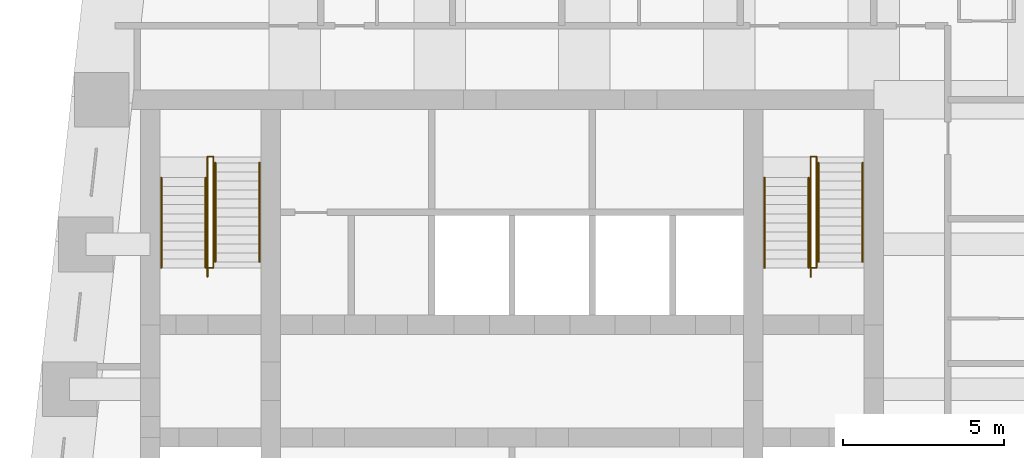
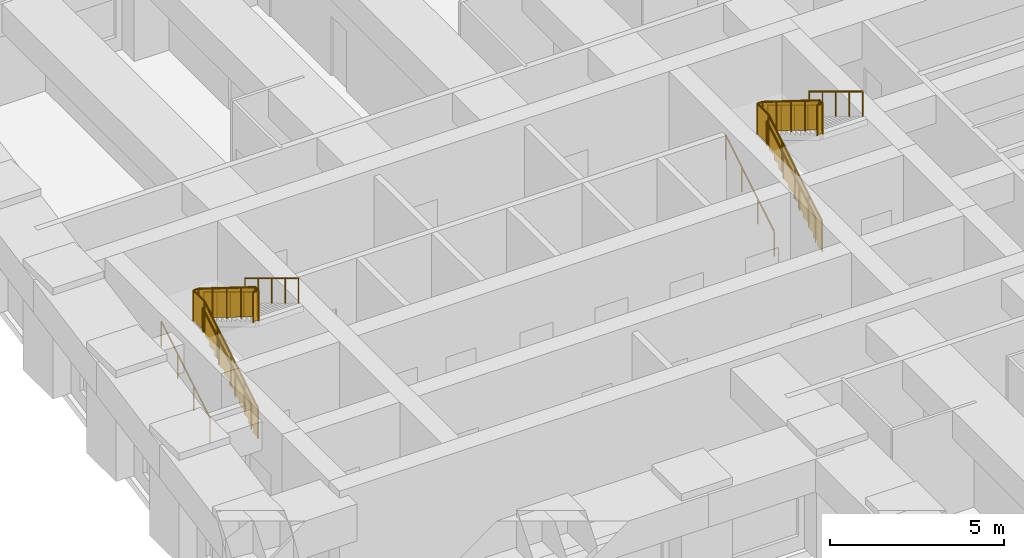
# One storey, part 7 of 7: 12 railings.
"""IFC4 building model written with IfcOpenShell, lengths in metres."""

from ifc_helpers import new_model, si_unit, direction, frame, origin, origin_2d, place, context, subcontext, project, spatial, polyline, circle, outline, extrude, material, type_object, element, save


model = new_model("IFC4")

# Units and contexts
model_context = context("Model", 3, precision=1e-05, world=origin(), true_north=direction((0.0, 1.0)))
body_context = subcontext(model_context, "Body", "Model", "MODEL_VIEW")
ifc_project = project(units=[si_unit("LENGTHUNIT", "METRE"), si_unit("AREAUNIT", "SQUARE_METRE"), si_unit("VOLUMEUNIT", "CUBIC_METRE"), si_unit("PLANEANGLEUNIT", "RADIAN"), si_unit("MASSUNIT", "GRAM", prefix="KILO")], contexts=[model_context])

# Site, building, storey
site_placement = place(None, origin())
site = spatial("IfcSite", under=ifc_project, at=site_placement, CompositionType="ELEMENT")
building_placement = place(site_placement, origin())
building = spatial("IfcBuilding", under=site, at=building_placement, Name="Kilele Tower Hotel", CompositionType="ELEMENT")
storey_placement = place(building_placement, frame((0.0, 0.0, 233.0)))
storey = spatial("IfcBuildingStorey", under=building, at=storey_placement, Name="L60", CompositionType="ELEMENT", Elevation=233.0)

# Railings
ifc_material_1 = material(Name="Steel handrail", Category="steel")
railing_type_1 = type_object("IfcRailingType", Name="Handrail 900", PredefinedType="HANDRAIL", material=ifc_material_1)
for number, where, name in (
    (1, (13.85009765625, 21.77490234375, 0.169677734375), "Handrail ST1 flight 1"),
    (2, (15.22509765625, 21.77490234375, 0.169677734375), "Handrail ST1 flight 1"),
):
    element("IfcRailing", number, at=place(storey_placement, frame(where)), inside=storey, type_object=railing_type_1, Name=name, PredefinedType="HANDRAIL", context=body_context, shape_type="SweptSolid", body=[
        extrude(circle(Radius=0.02490234375, at=origin_2d()), frame((0.0, 0.0, 0.875), z_axis=(0.0, 0.855393119324, 0.517979354234), x_axis=(-1.0, 0.0, 0.0)), (0.0, 0.0, 1.0), 3.2734375),
        extrude(circle(Radius=0.02001953125, at=origin_2d()), origin(), (0.0, 0.0, 1.0), 0.849853515625),
        extrude(circle(Radius=0.02001953125, at=origin_2d()), frame((0.0, 0.933349609375, 0.565185546875)), (0.0, 0.0, 1.0), 0.849853515625),
        extrude(circle(Radius=0.02001953125, at=origin_2d()), frame((0.0, 1.86669921875, 1.13037109375)), (0.0, 0.0, 1.0), 0.849853515625),
        extrude(circle(Radius=0.02001953125, at=origin_2d()), frame((0.0, 2.800048828125, 1.695556640625)), (0.0, 0.0, 1.0), 0.849853515625),
    ])
for number, where, name in (
    (3, (15.52490234375, 25.0400390625, 2.03466796875), "Handrail ST1 flight 2"),
    (4, (16.89990234375, 25.0400390625, 2.03466796875), "Handrail ST1 flight 2"),
):
    element("IfcRailing", number, at=place(storey_placement, frame(where)), inside=storey, type_object=railing_type_1, Name=name, PredefinedType="HANDRAIL", context=body_context, shape_type="SweptSolid", body=[
        extrude(circle(Radius=0.02490234375, at=origin_2d()), frame((0.0, 0.0, 0.875), z_axis=(0.0, -0.855379917629, 0.518001154937), x_axis=(1.0, 0.0, 0.0)), (0.0, 0.0, 1.0), 3.600830078125),
        extrude(circle(Radius=0.02001953125, at=origin_2d()), origin(), (0.0, 0.0, 1.0), 0.849853515625),
        extrude(circle(Radius=0.02001953125, at=origin_2d()), frame((0.0, -0.77001953125, 0.46630859375)), (0.0, 0.0, 1.0), 0.849853515625),
        extrude(circle(Radius=0.02001953125, at=origin_2d()), frame((0.0, -1.5400390625, 0.9326171875)), (0.0, 0.0, 1.0), 0.849853515625),
        extrude(circle(Radius=0.02001953125, at=origin_2d()), frame((0.0, -2.31005859375, 1.39892578125)), (0.0, 0.0, 1.0), 0.849853515625),
        extrude(circle(Radius=0.02001953125, at=origin_2d()), frame((0.0, -3.080078125, 1.865234375)), (0.0, 0.0, 1.0), 0.849853515625),
    ])
for number, where, name in (
    (5, (32.60009765625, 21.77490234375, 0.169677734375), "Handrail ST2 flight 1"),
    (6, (33.97509765625, 21.77490234375, 0.169677734375), "Handrail ST2 flight 1"),
):
    element("IfcRailing", number, at=place(storey_placement, frame(where)), inside=storey, type_object=railing_type_1, Name=name, PredefinedType="HANDRAIL", context=body_context, shape_type="SweptSolid", body=[
        extrude(circle(Radius=0.02490234375, at=origin_2d()), frame((0.0, 0.0, 0.875), z_axis=(0.0, 0.855393119324, 0.517979354234), x_axis=(-1.0, 0.0, 0.0)), (0.0, 0.0, 1.0), 3.2734375),
        extrude(circle(Radius=0.02001953125, at=origin_2d()), origin(), (0.0, 0.0, 1.0), 0.849853515625),
        extrude(circle(Radius=0.02001953125, at=origin_2d()), frame((0.0, 0.933349609375, 0.565185546875)), (0.0, 0.0, 1.0), 0.849853515625),
        extrude(circle(Radius=0.02001953125, at=origin_2d()), frame((0.0, 1.86669921875, 1.13037109375)), (0.0, 0.0, 1.0), 0.849853515625),
        extrude(circle(Radius=0.02001953125, at=origin_2d()), frame((0.0, 2.800048828125, 1.695556640625)), (0.0, 0.0, 1.0), 0.849853515625),
    ])
for number, where, name in (
    (7, (34.27490234375, 25.0400390625, 2.03466796875), "Handrail ST2 flight 2"),
    (8, (35.64990234375, 25.0400390625, 2.03466796875), "Handrail ST2 flight 2"),
):
    element("IfcRailing", number, at=place(storey_placement, frame(where)), inside=storey, type_object=railing_type_1, Name=name, PredefinedType="HANDRAIL", context=body_context, shape_type="SweptSolid", body=[
        extrude(circle(Radius=0.02490234375, at=origin_2d()), frame((0.0, 0.0, 0.875), z_axis=(0.0, -0.855379917629, 0.518001154937), x_axis=(1.0, 0.0, 0.0)), (0.0, 0.0, 1.0), 3.600830078125),
        extrude(circle(Radius=0.02001953125, at=origin_2d()), origin(), (0.0, 0.0, 1.0), 0.849853515625),
        extrude(circle(Radius=0.02001953125, at=origin_2d()), frame((0.0, -0.77001953125, 0.46630859375)), (0.0, 0.0, 1.0), 0.849853515625),
        extrude(circle(Radius=0.02001953125, at=origin_2d()), frame((0.0, -1.5400390625, 0.9326171875)), (0.0, 0.0, 1.0), 0.849853515625),
        extrude(circle(Radius=0.02001953125, at=origin_2d()), frame((0.0, -2.31005859375, 1.39892578125)), (0.0, 0.0, 1.0), 0.849853515625),
        extrude(circle(Radius=0.02001953125, at=origin_2d()), frame((0.0, -3.080078125, 1.865234375)), (0.0, 0.0, 1.0), 0.849853515625),
    ])
ifc_material_2 = material(Name="Steel guard", Category="steel")
railing_type_2 = type_object("IfcRailingType", Name="Stair guard 1100", PredefinedType="GUARDRAIL", material=ifc_material_2)
railing_1_placement = place(storey_placement, frame((15.284912109375, 21.4951171875, 0.0)))
element("IfcRailing", 9, at=railing_1_placement, inside=storey, type_object=railing_type_2, Name="Stair well guard ST1 flight 1", PredefinedType="GUARDRAIL", context=body_context, shape_type="SweptSolid", body=[
    extrude(circle(Radius=0.02490234375, at=origin_2d()), frame((0.0, 0.0, 1.0751953125), z_axis=(0.0, 0.855361723277, 0.518031198243), x_axis=(-1.0, 0.0, 0.0)), (0.0, 0.0, 1.0), 3.6005859375),
    extrude(circle(Radius=0.02490234375, at=origin_2d()), frame((0.0, 3.079833984375, 2.9404296875), z_axis=(0.0, 1.0, 0.0), x_axis=(-1.0, 0.0, 0.0)), (0.0, 0.0, 1.0), 0.650146484375),
    extrude(circle(Radius=0.02490234375, at=origin_2d()), frame((0.0, 3.72998046875, 2.9404296875), z_axis=(1.0, 0.0, 0.0), x_axis=(0.0, 1.0, 0.0)), (0.0, 0.0, 1.0), 0.18017578125),
    extrude(circle(Radius=0.02490234375, at=origin_2d()), origin(), (0.0, 0.0, 1.0), 1.050048828125),
    extrude(circle(Radius=0.02490234375, at=origin_2d()), frame((0.0, 0.77001953125, 0.46630859375)), (0.0, 0.0, 1.0), 1.050048828125),
    extrude(circle(Radius=0.02490234375, at=origin_2d()), frame((0.0, 1.5400390625, 0.9326171875)), (0.0, 0.0, 1.0), 1.050048828125),
    extrude(circle(Radius=0.02490234375, at=origin_2d()), frame((0.0, 2.309814453125, 1.39892578125)), (0.0, 0.0, 1.0), 1.050048828125),
    extrude(circle(Radius=0.02490234375, at=origin_2d()), frame((0.0, 3.079833984375, 1.865234375)), (0.0, 0.0, 1.0), 1.050048828125),
    extrude(circle(Radius=0.02490234375, at=origin_2d()), frame((0.0, 3.72998046875, 1.865234375)), (0.0, 0.0, 1.0), 1.050048828125),
    extrude(circle(Radius=0.02490234375, at=origin_2d()), frame((0.18017578125, 3.72998046875, 1.865234375)), (0.0, 0.0, 1.0), 1.050048828125),
    extrude(outline(polyline([(0.012451171875, 0.030029296875), (0.25, 0.030029296875), (0.25, 0.19970703125), (0.530029296875, 0.19970703125), (0.530029296875, 0.369140625), (0.809814453125, 0.369140625), (0.809814453125, 0.538818359375), (1.08984375, 0.538818359375), (1.08984375, 0.708251953125), (1.369873046875, 0.708251953125), (1.369873046875, 0.8779296875), (1.64990234375, 0.8779296875), (1.64990234375, 1.04736328125), (1.929931640625, 1.04736328125), (1.929931640625, 1.217041015625), (2.2099609375, 1.217041015625), (2.2099609375, 1.386474609375), (2.48974609375, 1.386474609375), (2.48974609375, 1.55615234375), (2.769775390625, 1.55615234375), (2.769775390625, 1.7255859375), (3.0498046875, 1.7255859375), (3.0498046875, 1.895263671875), (3.0673828125, 1.895263671875), (3.0673828125, 2.903564453125), (0.012451171875, 1.053466796875), (0.012451171875, 0.030029296875)])), frame((-0.005859375, 0.0, 0.0), z_axis=(1.0, 0.0, 0.0), x_axis=(0.0, 1.0, 0.0)), (0.0, 0.0, 1.0), 0.011962890625),
    extrude(outline(polyline([(0.012451171875, 0.030029296875), (0.6376953125, 0.030029296875), (0.6376953125, 1.050048828125), (0.012451171875, 1.050048828125), (0.012451171875, 0.030029296875)])), frame((-0.005859375, 3.079833984375, 1.865234375), z_axis=(1.0, 0.0, 0.0), x_axis=(0.0, 1.0, 0.0)), (0.0, 0.0, 1.0), 0.011962890625),
    extrude(outline(polyline([(0.012451171875, 0.030029296875), (0.18017578125, 0.030029296875), (0.18017578125, 1.050048828125), (0.012451171875, 1.050048828125), (0.012451171875, 0.030029296875)])), frame((0.0, 3.73583984375, 1.865234375), z_axis=(0.0, -1.0, 0.0), x_axis=(1.0, 0.0, 0.0)), (0.0, 0.0, 1.0), 0.011962890625),
])
railing_2_placement = place(storey_placement, frame((15.465087890625, 25.22509765625, 1.865234375)))
element("IfcRailing", 10, at=railing_2_placement, inside=storey, type_object=railing_type_2, Name="Stair well guard ST1 flight 2", PredefinedType="GUARDRAIL", context=body_context, shape_type="SweptSolid", body=[
    extrude(circle(Radius=0.02490234375, at=origin_2d()), frame((0.0, 0.0, 1.0751953125), z_axis=(0.0, -0.848703446432, 0.528869038624), x_axis=(1.0, 0.0, 0.0)), (0.0, 0.0, 1.0), 3.84716796875),
    extrude(circle(Radius=0.02490234375, at=origin_2d()), frame((0.0, -3.26513671875, 3.10986328125), z_axis=(0.0, -1.0, 0.0), x_axis=(1.0, 0.0, 0.0)), (0.0, 0.0, 1.0), 0.18505859375),
    extrude(circle(Radius=0.02490234375, at=origin_2d()), frame((0.0, -3.4501953125, 3.10986328125), z_axis=(-1.0, 0.0, 0.0), x_axis=(0.0, -1.0, 0.0)), (0.0, 0.0, 1.0), 0.18017578125),
    extrude(circle(Radius=0.02490234375, at=origin_2d()), origin(), (0.0, 0.0, 1.0), 1.050048828125),
    extrude(circle(Radius=0.02490234375, at=origin_2d()), frame((0.0, -0.81640625, 0.5087890625)), (0.0, 0.0, 1.0), 1.050048828125),
    extrude(circle(Radius=0.02490234375, at=origin_2d()), frame((0.0, -1.632568359375, 1.017333984375)), (0.0, 0.0, 1.0), 1.050048828125),
    extrude(circle(Radius=0.02490234375, at=origin_2d()), frame((0.0, -2.44873046875, 1.52587890625)), (0.0, 0.0, 1.0), 1.050048828125),
    extrude(circle(Radius=0.02490234375, at=origin_2d()), frame((0.0, -3.26513671875, 2.03466796875)), (0.0, 0.0, 1.0), 1.050048828125),
    extrude(circle(Radius=0.02490234375, at=origin_2d()), frame((0.0, -3.4501953125, 2.03466796875)), (0.0, 0.0, 1.0), 1.050048828125),
    extrude(circle(Radius=0.02490234375, at=origin_2d()), frame((-0.18017578125, -3.4501953125, 2.03466796875)), (0.0, 0.0, 1.0), 1.050048828125),
    extrude(outline(polyline([(0.0, 0.030029296875), (3.252685546875, 2.056884765625), (3.252685546875, 3.072509765625), (0.0, 1.045654296875), (0.0, 0.030029296875)])), frame((0.005859375, 0.0, 0.0), z_axis=(-1.0, 0.0, 0.0), x_axis=(0.0, -1.0, 0.0)), (0.0, 0.0, 1.0), 0.011962890625),
    extrude(outline(polyline([(0.012451171875, 0.030029296875), (0.172607421875, 0.030029296875), (0.172607421875, 1.050048828125), (0.012451171875, 1.050048828125), (0.012451171875, 0.030029296875)])), frame((0.005859375, -3.26513671875, 2.03466796875), z_axis=(-1.0, 0.0, 0.0), x_axis=(0.0, -1.0, 0.0)), (0.0, 0.0, 1.0), 0.011962890625),
    extrude(outline(polyline([(0.012451171875, 0.030029296875), (0.18017578125, 0.030029296875), (0.18017578125, 1.050048828125), (0.012451171875, 1.050048828125), (0.012451171875, 0.030029296875)])), frame((0.0, -3.4560546875, 2.03466796875), z_axis=(0.0, 1.0, 0.0), x_axis=(-1.0, 0.0, 0.0)), (0.0, 0.0, 1.0), 0.011962890625),
])
railing_3_placement = place(storey_placement, frame((34.034912109375, 21.4951171875, 0.0)))
element("IfcRailing", 11, at=railing_3_placement, inside=storey, type_object=railing_type_2, Name="Stair well guard ST2 flight 1", PredefinedType="GUARDRAIL", context=body_context, shape_type="SweptSolid", body=[
    extrude(circle(Radius=0.02490234375, at=origin_2d()), frame((0.0, 0.0, 1.0751953125), z_axis=(0.0, 0.855361723277, 0.518031198243), x_axis=(-1.0, 0.0, 0.0)), (0.0, 0.0, 1.0), 3.6005859375),
    extrude(circle(Radius=0.02490234375, at=origin_2d()), frame((0.0, 3.079833984375, 2.9404296875), z_axis=(0.0, 1.0, 0.0), x_axis=(-1.0, 0.0, 0.0)), (0.0, 0.0, 1.0), 0.650146484375),
    extrude(circle(Radius=0.02490234375, at=origin_2d()), frame((0.0, 3.72998046875, 2.9404296875), z_axis=(1.0, 0.0, 0.0), x_axis=(0.0, 1.0, 0.0)), (0.0, 0.0, 1.0), 0.18017578125),
    extrude(circle(Radius=0.02490234375, at=origin_2d()), origin(), (0.0, 0.0, 1.0), 1.050048828125),
    extrude(circle(Radius=0.02490234375, at=origin_2d()), frame((0.0, 0.77001953125, 0.46630859375)), (0.0, 0.0, 1.0), 1.050048828125),
    extrude(circle(Radius=0.02490234375, at=origin_2d()), frame((0.0, 1.5400390625, 0.9326171875)), (0.0, 0.0, 1.0), 1.050048828125),
    extrude(circle(Radius=0.02490234375, at=origin_2d()), frame((0.0, 2.309814453125, 1.39892578125)), (0.0, 0.0, 1.0), 1.050048828125),
    extrude(circle(Radius=0.02490234375, at=origin_2d()), frame((0.0, 3.079833984375, 1.865234375)), (0.0, 0.0, 1.0), 1.050048828125),
    extrude(circle(Radius=0.02490234375, at=origin_2d()), frame((0.0, 3.72998046875, 1.865234375)), (0.0, 0.0, 1.0), 1.050048828125),
    extrude(circle(Radius=0.02490234375, at=origin_2d()), frame((0.18017578125, 3.72998046875, 1.865234375)), (0.0, 0.0, 1.0), 1.050048828125),
    extrude(outline(polyline([(0.012451171875, 0.030029296875), (0.25, 0.030029296875), (0.25, 0.19970703125), (0.530029296875, 0.19970703125), (0.530029296875, 0.369140625), (0.809814453125, 0.369140625), (0.809814453125, 0.538818359375), (1.08984375, 0.538818359375), (1.08984375, 0.708251953125), (1.369873046875, 0.708251953125), (1.369873046875, 0.8779296875), (1.64990234375, 0.8779296875), (1.64990234375, 1.04736328125), (1.929931640625, 1.04736328125), (1.929931640625, 1.217041015625), (2.2099609375, 1.217041015625), (2.2099609375, 1.386474609375), (2.48974609375, 1.386474609375), (2.48974609375, 1.55615234375), (2.769775390625, 1.55615234375), (2.769775390625, 1.7255859375), (3.0498046875, 1.7255859375), (3.0498046875, 1.895263671875), (3.0673828125, 1.895263671875), (3.0673828125, 2.903564453125), (0.012451171875, 1.053466796875), (0.012451171875, 0.030029296875)])), frame((-0.005859375, 0.0, 0.0), z_axis=(1.0, 0.0, 0.0), x_axis=(0.0, 1.0, 0.0)), (0.0, 0.0, 1.0), 0.011962890625),
    extrude(outline(polyline([(0.012451171875, 0.030029296875), (0.6376953125, 0.030029296875), (0.6376953125, 1.050048828125), (0.012451171875, 1.050048828125), (0.012451171875, 0.030029296875)])), frame((-0.005859375, 3.079833984375, 1.865234375), z_axis=(1.0, 0.0, 0.0), x_axis=(0.0, 1.0, 0.0)), (0.0, 0.0, 1.0), 0.011962890625),
    extrude(outline(polyline([(0.012451171875, 0.030029296875), (0.18017578125, 0.030029296875), (0.18017578125, 1.050048828125), (0.012451171875, 1.050048828125), (0.012451171875, 0.030029296875)])), frame((0.0, 3.73583984375, 1.865234375), z_axis=(0.0, -1.0, 0.0), x_axis=(1.0, 0.0, 0.0)), (0.0, 0.0, 1.0), 0.011962890625),
])
railing_4_placement = place(storey_placement, frame((34.215087890625, 25.22509765625, 1.865234375)))
element("IfcRailing", 12, at=railing_4_placement, inside=storey, type_object=railing_type_2, Name="Stair well guard ST2 flight 2", PredefinedType="GUARDRAIL", context=body_context, shape_type="SweptSolid", body=[
    extrude(circle(Radius=0.02490234375, at=origin_2d()), frame((0.0, 0.0, 1.0751953125), z_axis=(0.0, -0.848703446432, 0.528869038624), x_axis=(1.0, 0.0, 0.0)), (0.0, 0.0, 1.0), 3.84716796875),
    extrude(circle(Radius=0.02490234375, at=origin_2d()), frame((0.0, -3.26513671875, 3.10986328125), z_axis=(0.0, -1.0, 0.0), x_axis=(1.0, 0.0, 0.0)), (0.0, 0.0, 1.0), 0.18505859375),
    extrude(circle(Radius=0.02490234375, at=origin_2d()), frame((0.0, -3.4501953125, 3.10986328125), z_axis=(-1.0, 0.0, 0.0), x_axis=(0.0, -1.0, 0.0)), (0.0, 0.0, 1.0), 0.18017578125),
    extrude(circle(Radius=0.02490234375, at=origin_2d()), origin(), (0.0, 0.0, 1.0), 1.050048828125),
    extrude(circle(Radius=0.02490234375, at=origin_2d()), frame((0.0, -0.81640625, 0.5087890625)), (0.0, 0.0, 1.0), 1.050048828125),
    extrude(circle(Radius=0.02490234375, at=origin_2d()), frame((0.0, -1.632568359375, 1.017333984375)), (0.0, 0.0, 1.0), 1.050048828125),
    extrude(circle(Radius=0.02490234375, at=origin_2d()), frame((0.0, -2.44873046875, 1.52587890625)), (0.0, 0.0, 1.0), 1.050048828125),
    extrude(circle(Radius=0.02490234375, at=origin_2d()), frame((0.0, -3.26513671875, 2.03466796875)), (0.0, 0.0, 1.0), 1.050048828125),
    extrude(circle(Radius=0.02490234375, at=origin_2d()), frame((0.0, -3.4501953125, 2.03466796875)), (0.0, 0.0, 1.0), 1.050048828125),
    extrude(circle(Radius=0.02490234375, at=origin_2d()), frame((-0.18017578125, -3.4501953125, 2.03466796875)), (0.0, 0.0, 1.0), 1.050048828125),
    extrude(outline(polyline([(0.0, 0.030029296875), (3.252685546875, 2.056884765625), (3.252685546875, 3.072509765625), (0.0, 1.045654296875), (0.0, 0.030029296875)])), frame((0.005859375, 0.0, 0.0), z_axis=(-1.0, 0.0, 0.0), x_axis=(0.0, -1.0, 0.0)), (0.0, 0.0, 1.0), 0.011962890625),
    extrude(outline(polyline([(0.012451171875, 0.030029296875), (0.172607421875, 0.030029296875), (0.172607421875, 1.050048828125), (0.012451171875, 1.050048828125), (0.012451171875, 0.030029296875)])), frame((0.005859375, -3.26513671875, 2.03466796875), z_axis=(-1.0, 0.0, 0.0), x_axis=(0.0, -1.0, 0.0)), (0.0, 0.0, 1.0), 0.011962890625),
    extrude(outline(polyline([(0.012451171875, 0.030029296875), (0.18017578125, 0.030029296875), (0.18017578125, 1.050048828125), (0.012451171875, 1.050048828125), (0.012451171875, 0.030029296875)])), frame((0.0, -3.4560546875, 2.03466796875), z_axis=(0.0, 1.0, 0.0), x_axis=(-1.0, 0.0, 0.0)), (0.0, 0.0, 1.0), 0.011962890625),
])

save(model, "model.ifc")
